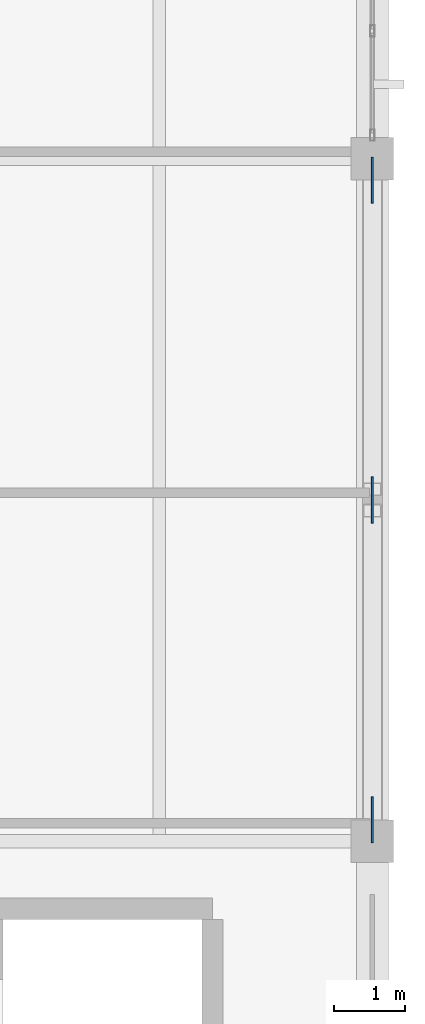
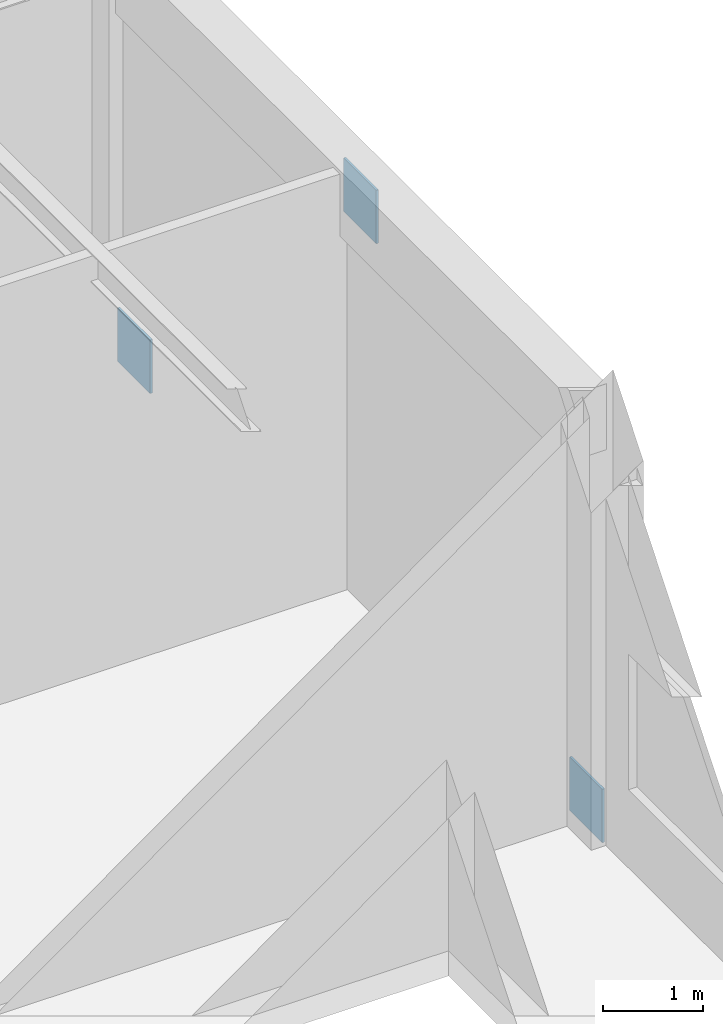
# One storey, part 159 of 188: 3 plates.
"""IFC4 building model written with IfcOpenShell, lengths in metres."""

from ifc_helpers import new_model, si_unit, direction, frame, origin, origin_2d, place, context, subcontext, project, spatial, rectangle, extrude, material, layer, layer_set, type_object, element, save


model = new_model("IFC4")

# Units and contexts
model_context = context("Model", 3, precision=1e-05, world=origin(), true_north=direction((0.0, 1.0)))
body_context = subcontext(model_context, "Body", "Model", "MODEL_VIEW")
ifc_project = project(units=[si_unit("LENGTHUNIT", "METRE"), si_unit("AREAUNIT", "SQUARE_METRE"), si_unit("VOLUMEUNIT", "CUBIC_METRE"), si_unit("PLANEANGLEUNIT", "RADIAN"), si_unit("MASSUNIT", "GRAM", prefix="KILO")], contexts=[model_context])

# Site, building, storey
site_placement = place(None, origin())
site = spatial("IfcSite", under=ifc_project, at=site_placement, CompositionType="ELEMENT")
building_placement = place(site_placement, origin())
building = spatial("IfcBuilding", under=site, at=building_placement, Name="Pandanus Reach Market Hall", CompositionType="ELEMENT")
storey_placement = place(building_placement, origin())
storey = spatial("IfcBuildingStorey", under=building, at=storey_placement, Name="L00", CompositionType="ELEMENT", Elevation=0.0)

# Plates
ifc_material = material(Name="Steel Grade 350 (350 MPa)", Category="steel")
ifc_layer = layer(ifc_material, 0.028076171875, Name="GS-PL28")
ifc_layer_set = layer_set([ifc_layer], Name="Steel Grade 350 (350 MPa)")
plate_type = type_object("IfcPlateType", Name="GS-PL28", PredefinedType="SHEET", material=ifc_layer_set)
for number, where, z_axis, x_axis, name in (
    (1, (180.0, 38.699951171875, -0.175048828125), (0.0, 0.0, 1.0), (0.0, 1.0, 0.0), "Brace gusset plate GS-PL28 12L"),
    (2, (180.0, 43.199951171875, 4.375), (0.0, 0.0, 1.0), (0.0, 1.0, 0.0), "Brace gusset plate GS-PL28 12M"),
    (3, (180.0, 47.699951171875, -0.175048828125), (0.0, 0.0, 1.0), (0.0, 1.0, 0.0), "Brace gusset plate GS-PL28 12R"),
):
    element("IfcPlate", number, at=place(storey_placement, frame(where, z_axis=z_axis, x_axis=x_axis)), inside=storey, type_object=plate_type, Name=name, PredefinedType="SHEET", context=body_context, shape_type="SweptSolid", body=[
        extrude(rectangle(XDim=0.64990234375, YDim=0.028076171875, at=origin_2d()), origin(), (0.0, 0.0, 1.0), 0.64990234375),
    ])

save(model, "model.ifc")
